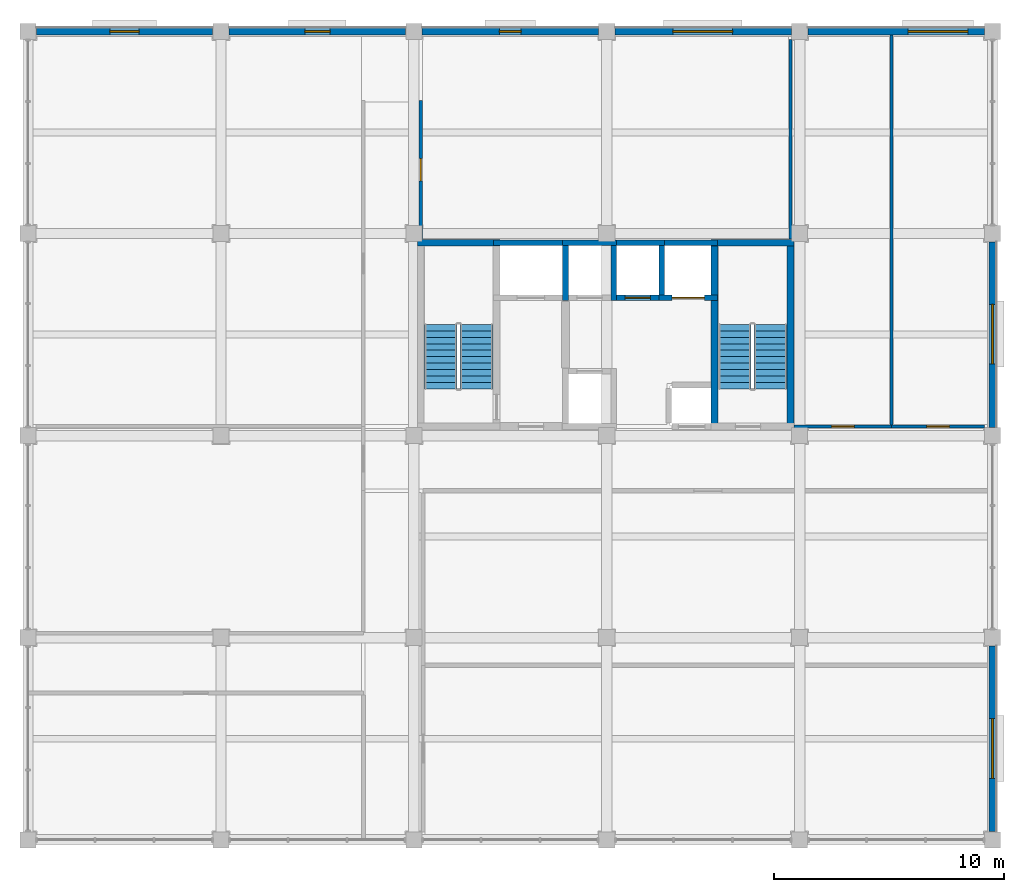
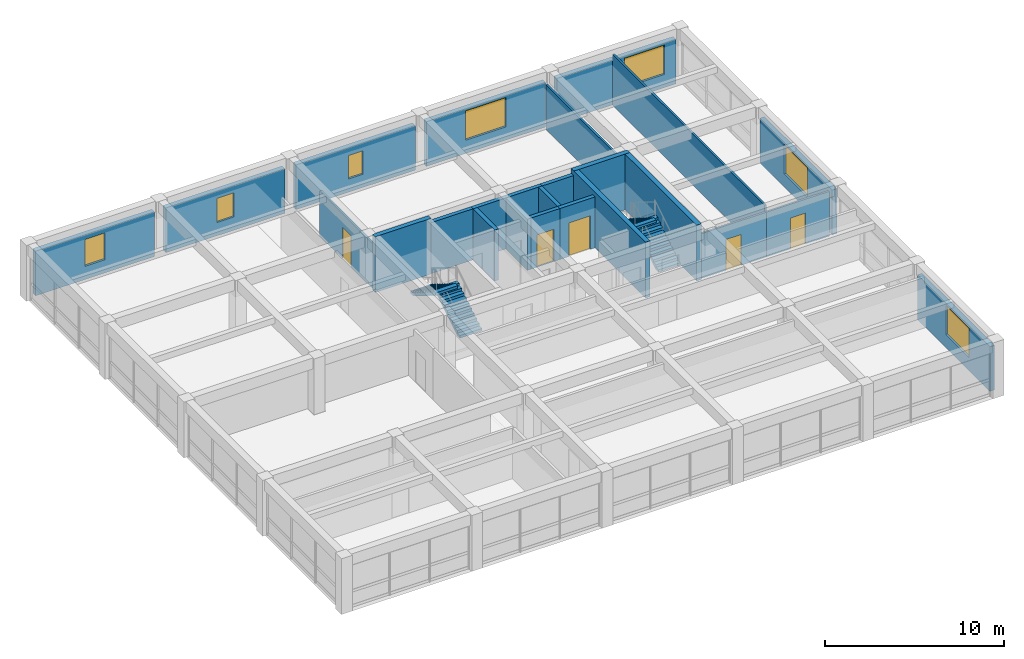
# One storey, part 10 of 13: 25 walls, 7 windows, 5 doors, 4 stair flights, 12 openings, 2 elements without a shape of their own.
"""IFC4 building model written with IfcOpenShell, lengths in metres."""

import ifcopenshell
import ifcopenshell.guid

model = None  # the IFC model being written
_history = None  # IfcOwnerHistory: only IFC2X3 demands one
_inside = {}  # id of a spatial element -> (the spatial element, [elements in it])
_under = {}  # id of a project, library or spatial element -> (it, [spatial elements below it])
_declared = {}  # id of a project -> (the project, [libraries it declares])
_typed = {}  # id of a type object -> (the type object, [elements of that type])
_made_of = {}  # id of a material, layer set ... -> (it, [elements and type objects made of it])


def new_model(schema):
    """Start an empty IFC model of exactly this schema.

    Asked for "IFC4X3", IfcOpenShell would pick the latest addendum, in which some entities
    have other attributes; the version numbers below select the first issue.
    IFC2X3 requires an IfcOwnerHistory on every rooted entity: one is made here for all.
    """
    global model, _history
    if schema == "IFC4X3":
        model = ifcopenshell.file(schema_version=(4, 3, 0, 0))
    else:
        model = ifcopenshell.file(schema=schema)
    _inside.clear()
    _under.clear()
    _declared.clear()
    _typed.clear()
    _made_of.clear()
    _history = None
    if model.schema == "IFC2X3":
        org = make("IfcOrganization", Name="unknown")
        user = make(
            "IfcPersonAndOrganization",
            ThePerson=make("IfcPerson", FamilyName="unknown"),
            TheOrganization=org,
        )
        app = make(
            "IfcApplication",
            ApplicationDeveloper=org,
            Version="unknown",
            ApplicationFullName="unknown",
            ApplicationIdentifier="unknown",
        )
        _history = make(
            "IfcOwnerHistory",
            OwningUser=user,
            OwningApplication=app,
            ChangeAction="ADDED",
            CreationDate=0,
        )
    return model


def make(cls, **values):
    """One entity of the class cls with the attributes given. An attribute that is None is left unset."""
    return model.create_entity(
        cls, **{name: value for name, value in values.items() if value is not None}
    )


def rooted(cls, **values):
    """An entity with a GlobalId (a new one), such as an element, a storey or a relation."""
    return make(cls, GlobalId=ifcopenshell.guid.new(), OwnerHistory=_history, **values)


def si_unit(unit_type, name, prefix=None):
    """IfcSIUnit, for example si_unit("LENGTHUNIT", "METRE", prefix="MILLI")."""
    return make("IfcSIUnit", UnitType=unit_type, Prefix=prefix, Name=name)


def assignment(units):
    """IfcUnitAssignment: the units of a project."""
    return None if units is None else make("IfcUnitAssignment", Units=units)


def point(xyz):
    """IfcCartesianPoint."""
    return None if xyz is None else make("IfcCartesianPoint", Coordinates=xyz)


def direction(xyz):
    """IfcDirection."""
    return None if xyz is None else make("IfcDirection", DirectionRatios=xyz)


def frame(location, z_axis=None, x_axis=None):
    """IfcAxis2Placement3D, a coordinate frame: its origin and axes. An axis left out is left unset."""
    return make(
        "IfcAxis2Placement3D",
        Location=point(location),
        Axis=direction(z_axis),
        RefDirection=direction(x_axis),
    )


def frame_2d(location, x_axis=None):
    """IfcAxis2Placement2D, a coordinate frame in the plane: its origin and x axis."""
    return make(
        "IfcAxis2Placement2D", Location=point(location), RefDirection=direction(x_axis)
    )


def origin():
    """The frame at (0, 0, 0) with its axes left unset."""
    return frame((0.0, 0.0, 0.0))


def place(relative_to, where):
    """IfcLocalPlacement: puts the frame where relative to a parent placement (None: the world)."""
    return make(
        "IfcLocalPlacement", PlacementRelTo=relative_to, RelativePlacement=where
    )


def context(
    kind, dimensions, precision=None, world=None, true_north=None, identifier=None
):
    """IfcGeometricRepresentationContext, for example the 3D "Model" context."""
    return make(
        "IfcGeometricRepresentationContext",
        ContextIdentifier=identifier,
        ContextType=kind,
        CoordinateSpaceDimension=dimensions,
        Precision=precision,
        WorldCoordinateSystem=world,
        TrueNorth=true_north,
    )


def subcontext(parent, identifier, kind, view, scale=None):
    """IfcGeometricRepresentationSubContext, for example "Body" below "Model"."""
    return make(
        "IfcGeometricRepresentationSubContext",
        ContextIdentifier=identifier,
        ContextType=kind,
        ParentContext=parent,
        TargetScale=scale,
        TargetView=view,
    )


def project(units=None, contexts=None):
    """IfcProject with its units and contexts."""
    return rooted(
        "IfcProject",
        Name="project",
        RepresentationContexts=contexts,
        UnitsInContext=assignment(units),
    )


def spatial(cls, under=None, at=None, **own):
    """A site, building, storey or space (cls), placed at a placement, below another one or the project."""
    s = rooted(cls, ObjectPlacement=at, **own)
    if under is not None:
        _under.setdefault(under.id(), (under, []))[1].append(s)
    return s


def polyline(points):
    """IfcPolyline through the points."""
    return make("IfcPolyline", Points=[point(p) for p in points])


def profile(cls, at=None, kind="AREA", **sizes):
    """A parametric profile (cls). Its sizes go by their IFC names, for example OverallWidth=200.0."""
    return make(cls, ProfileType=kind, Position=at, **sizes)


def rectangle(**sizes):
    """IfcRectangleProfileDef."""
    return profile("IfcRectangleProfileDef", **sizes)


def outline(outer, holes=None, kind="AREA"):
    """IfcArbitraryClosedProfileDef: a profile drawn as a closed curve; with holes, ...WithVoids."""
    if holes is None:
        return make("IfcArbitraryClosedProfileDef", ProfileType=kind, OuterCurve=outer)
    return make(
        "IfcArbitraryProfileDefWithVoids",
        ProfileType=kind,
        OuterCurve=outer,
        InnerCurves=holes,
    )


def extrude(swept, where, along, depth):
    """IfcExtrudedAreaSolid: the profile swept, set in the frame where, extruded along a direction by depth."""
    return make(
        "IfcExtrudedAreaSolid",
        SweptArea=swept,
        Position=where,
        ExtrudedDirection=direction(along),
        Depth=depth,
    )


def shape(context_of_items, identifier, shape_type, items):
    """IfcShapeRepresentation: the items that make up one representation, for example the "Body"."""
    return make(
        "IfcShapeRepresentation",
        ContextOfItems=context_of_items,
        RepresentationIdentifier=identifier,
        RepresentationType=shape_type,
        Items=items,
    )


def material(Name=None, Category=None):
    """IfcMaterial."""
    return make("IfcMaterial", Name=Name, Category=Category)


def layer(
    of_material, thickness, ventilated=None, Name=None, Category=None, Priority=None
):
    """IfcMaterialLayer: one layer of a wall or slab, of a material (None: an air gap)."""
    return make(
        "IfcMaterialLayer",
        Material=of_material,
        LayerThickness=thickness,
        IsVentilated=ventilated,
        Name=Name,
        Category=Category,
        Priority=Priority,
    )


def layer_set(layers, Name=None):
    """IfcMaterialLayerSet."""
    return make("IfcMaterialLayerSet", MaterialLayers=layers, LayerSetName=Name)


def made_of(thing, what):
    """Note that an element or type object is made of a material, layer set ...; save() writes the relation."""
    if what is not None:
        _made_of.setdefault(what.id(), (what, []))[1].append(thing)
    return thing


def type_object(cls, material=None, **own):
    """A type object (cls), such as IfcWallType, which elements share."""
    return made_of(rooted(cls, **own), material)


def element(
    cls,
    number,
    at=None,
    inside=None,
    cuts=None,
    type_object=None,
    material=None,
    context=None,
    identifier="Body",
    shape_type=None,
    held_by="IfcProductDefinitionShape",
    body=None,
    shapes=None,
    **own,
):
    """One element of the class cls, such as IfcWall. Its Tag is "e" and its number.

    at: its placement. inside: the storey or other place that contains it. cuts: it is an
    opening in that element (IfcRelVoidsElement). A single representation is given by context,
    identifier, shape_type and body (its items); several are given by shapes. held_by: the class
    of the entity that holds the representations. save() writes the other relations.
    """
    e = rooted(cls, Tag="e%d" % number, ObjectPlacement=at, **own)
    if body is not None:
        shapes = [shape(context, identifier, shape_type, body)]
    if shapes is not None:
        e.Representation = make(held_by, Representations=shapes)
    if inside is not None:
        _inside.setdefault(inside.id(), (inside, []))[1].append(e)
    if cuts is not None:
        rooted(
            "IfcRelVoidsElement", RelatingBuildingElement=cuts, RelatedOpeningElement=e
        )
    if type_object is not None:
        _typed.setdefault(type_object.id(), (type_object, []))[1].append(e)
    return made_of(e, material)


def fill(opening, filler):
    """IfcRelFillsElement: the door or window that sits in an opening."""
    return rooted(
        "IfcRelFillsElement",
        RelatingOpeningElement=opening,
        RelatedBuildingElement=filler,
    )


def aggregate(whole, parts):
    """IfcRelAggregates: a whole, such as a stair, and the parts it consists of."""
    return rooted("IfcRelAggregates", RelatingObject=whole, RelatedObjects=parts)


def save(model, path):
    """Write the relations noted so far, then the file.

    IfcRelAggregates (storeys below a building ...), IfcRelContainedInSpatialStructure (elements
    in a storey), IfcRelDefinesByType, IfcRelAssociatesMaterial and IfcRelDeclares: one each for
    every whole, place, type object, material and project.
    """
    for whole, parts in _under.values():
        aggregate(whole, parts)
    for where, things in _inside.values():
        rooted(
            "IfcRelContainedInSpatialStructure",
            RelatedElements=things,
            RelatingStructure=where,
        )
    for kind, things in _typed.values():
        rooted("IfcRelDefinesByType", RelatedObjects=things, RelatingType=kind)
    for what, things in _made_of.values():
        rooted("IfcRelAssociatesMaterial", RelatedObjects=things, RelatingMaterial=what)
    for by, libraries in _declared.values():
        rooted("IfcRelDeclares", RelatingContext=by, RelatedDefinitions=libraries)
    model.write(path)


model = new_model("IFC4")

# Units and contexts
model_context = context("Model", 3, precision=1e-05, world=origin(), true_north=direction((0.0, 1.0)))
body_context = subcontext(model_context, "Body", "Model", "MODEL_VIEW")
ifc_project = project(units=[si_unit("LENGTHUNIT", "METRE"), si_unit("AREAUNIT", "SQUARE_METRE"), si_unit("VOLUMEUNIT", "CUBIC_METRE"), si_unit("PLANEANGLEUNIT", "RADIAN"), si_unit("MASSUNIT", "GRAM", prefix="KILO")], contexts=[model_context])

# Site, building, storey
site_placement = place(None, origin())
site = spatial("IfcSite", under=ifc_project, at=site_placement, CompositionType="ELEMENT")
building_placement = place(site_placement, origin())
building = spatial("IfcBuilding", under=site, at=building_placement, Name="Kemercrest Conservatory and Botanical Centre", CompositionType="ELEMENT")
storey_placement = place(building_placement, frame((0.0, 0.0, 36.800048828125)))
storey = spatial("IfcBuildingStorey", under=building, at=storey_placement, Name="L09", CompositionType="ELEMENT", Elevation=36.800048828125)

# Walls
ifc_material_1 = material(Name="Concrete C50/60", Category="concrete")
ifc_layer_1 = layer(ifc_material_1, 0.300048828125)
ifc_layer_set_1 = layer_set([ifc_layer_1], Name="Concrete C50/60")
wall_type_1 = type_object("IfcWallType", Name="CW-STAIR", PredefinedType="SHEAR", material=ifc_layer_set_1)
for number, where, z_axis, x_axis, name in (
    (1, (150.949951171875, 113.199951171875, 0.0), (0.0, 0.0, 1.0), (1.0, 0.0, 0.0), "Stair core ST-V4A shear wall N"),
    (2, (163.75, 113.199951171875, 0.0), (0.0, 0.0, 1.0), (1.0, 0.0, 0.0), "Stair core ST-V4B shear wall N"),
):
    element("IfcWall", number, at=place(storey_placement, frame(where, z_axis=z_axis, x_axis=x_axis)), inside=storey, type_object=wall_type_1, Name=name, PredefinedType="SHEAR", context=body_context, shape_type="SweptSolid", body=[
        extrude(rectangle(XDim=3.60009765625, YDim=0.300048828125, at=frame_2d((1.800048828125, 0.0))), origin(), (0.0, 0.0, 1.0), 3.800048828125),
    ])
for number, where, z_axis, x_axis, name in (
    (3, (163.89990234375, 105.050048828125, 0.0), (0.0, 0.0, 1.0), (0.0, 1.0, 0.0), "Stair core ST-V4B shear wall W"),
    (4, (167.199951171875, 105.050048828125, 0.0), (0.0, 0.0, 1.0), (0.0, 1.0, 0.0), "Stair core ST-V4B shear wall E"),
):
    element("IfcWall", number, at=place(storey_placement, frame(where, z_axis=z_axis, x_axis=x_axis)), inside=storey, type_object=wall_type_1, Name=name, PredefinedType="SHEAR", context=body_context, shape_type="SweptSolid", body=[
        extrude(rectangle(XDim=8.300048828125, YDim=0.300048828125, at=frame_2d((4.14990234375, 0.0))), origin(), (0.0, 0.0, 1.0), 3.800048828125),
    ])

# Wall, opening, window
ifc_material_2 = material(Name="Precast concrete C40/50", Category="concrete")
ifc_layer_2 = layer(ifc_material_2, 0.300048828125)
ifc_layer_set_2 = layer_set([ifc_layer_2], Name="Precast concrete C40/50")
wall_type_2 = type_object("IfcWallType", Name="W-EXT300", PredefinedType="SOLIDWALL", material=ifc_layer_set_2)
wall_1_placement = place(storey_placement, frame((176.0, 87.56005859375, 0.0), z_axis=(0.0, 0.0, 1.0), x_axis=(0.0, 1.0, 0.0)))
wall_1 = element("IfcWall", 5, at=wall_1_placement, inside=storey, type_object=wall_type_2, Name="Exterior almasik wall W-EXT300 (WAL:L09:EXT-286)", PredefinedType="SOLIDWALL", context=body_context, shape_type="SweptSolid", body=[
    extrude(rectangle(XDim=8.079833984375, YDim=0.300048828125, at=frame_2d((4.0400390625, 0.0))), origin(), (0.0, 0.0, 1.0), 3.050048828125),
])
opening_1_placement = place(wall_1_placement, frame((2.320068359375, 0.0, 0.89990234375)))
opening_1 = element("IfcOpeningElement", 6, at=opening_1_placement, cuts=wall_1, Name="Opening WT-10", PredefinedType="OPENING", context=body_context, shape_type="SweptSolid", body=[
    extrude(rectangle(XDim=2.60009765625, YDim=2.0, at=frame_2d((1.300048828125, 1.0))), frame((0.0, 0.16015625, 0.0), z_axis=(0.0, -1.0, 0.0), x_axis=(1.0, 0.0, 0.0)), (0.0, 0.0, 1.0), 0.320068359375),
])
ifc_material_3 = material(Name="Thermally broken bronze-anodized aluminium and triple glazing", Category="aluminium")
window_type_1 = type_object("IfcWindowType", Name="WT-10", PartitioningType="SINGLE_PANEL", PredefinedType="WINDOW", material=ifc_material_3)
window_1_placement = place(opening_1_placement, origin())
window_1 = element("IfcWindow", 7, at=window_1_placement, inside=storey, type_object=window_type_1, Name="Exterior window WT-10 (WIN:L09:EXT-286)", OverallHeight=2.0, OverallWidth=2.60009765625, PartitioningType="SINGLE_PANEL", PredefinedType="WINDOW", context=body_context, shape_type="SweptSolid", body=[
    extrude(rectangle(XDim=2.60009765625, YDim=2.0, at=frame_2d((1.300048828125, 1.0))), frame((0.0, 0.030029296875, 0.0), z_axis=(0.0, -1.0, 0.0), x_axis=(1.0, 0.0, 0.0)), (0.0, 0.0, 1.0), 0.06005859375),
])
fill(opening_1, window_1)

wall_2_placement = place(storey_placement, frame((176.0, 105.159912109375, 0.0), z_axis=(0.0, 0.0, 1.0), x_axis=(0.0, 1.0, 0.0)))
wall_2 = element("IfcWall", 8, at=wall_2_placement, inside=storey, type_object=wall_type_2, Name="Exterior almasik wall W-EXT300 (WAL:L09:EXT-287)", PredefinedType="SOLIDWALL", context=body_context, shape_type="SweptSolid", body=[
    extrude(rectangle(XDim=8.080078125, YDim=0.300048828125, at=frame_2d((4.0400390625, 0.0))), origin(), (0.0, 0.0, 1.0), 3.050048828125),
])
opening_2_placement = place(wall_2_placement, frame((2.760009765625, 0.0, 0.89990234375)))
opening_2 = element("IfcOpeningElement", 9, at=opening_2_placement, cuts=wall_2, Name="Opening WT-10", PredefinedType="OPENING", context=body_context, shape_type="SweptSolid", body=[
    extrude(rectangle(XDim=2.60009765625, YDim=2.0, at=frame_2d((1.300048828125, 1.0))), frame((0.0, 0.16015625, 0.0), z_axis=(0.0, -1.0, 0.0), x_axis=(1.0, 0.0, 0.0)), (0.0, 0.0, 1.0), 0.320068359375),
])
window_2_placement = place(opening_2_placement, origin())
window_2 = element("IfcWindow", 10, at=window_2_placement, inside=storey, type_object=window_type_1, Name="Exterior window WT-10 (WIN:L09:EXT-287)", OverallHeight=2.0, OverallWidth=2.60009765625, PartitioningType="SINGLE_PANEL", PredefinedType="WINDOW", context=body_context, shape_type="SweptSolid", body=[
    extrude(rectangle(XDim=2.60009765625, YDim=2.0, at=frame_2d((1.300048828125, 1.0))), frame((0.0, 0.030029296875, 0.0), z_axis=(0.0, -1.0, 0.0), x_axis=(1.0, 0.0, 0.0)), (0.0, 0.0, 1.0), 0.06005859375),
])
fill(opening_2, window_2)

wall_3_placement = place(storey_placement, frame((175.639892578125, 122.39990234375, 0.0), z_axis=(0.0, 0.0, 1.0), x_axis=(-1.0, 0.0, 0.0)))
wall_3 = element("IfcWall", 11, at=wall_3_placement, inside=storey, type_object=wall_type_2, Name="Exterior almasik wall W-EXT300 (WAL:L09:EXT-288)", PredefinedType="SOLIDWALL", context=body_context, shape_type="SweptSolid", body=[
    extrude(rectangle(XDim=7.679931640625, YDim=0.300048828125, at=frame_2d((3.83984375, 0.0))), origin(), (0.0, 0.0, 1.0), 3.050048828125),
])
opening_3_placement = place(wall_3_placement, frame((0.719970703125, 0.0, 0.89990234375)))
opening_3 = element("IfcOpeningElement", 12, at=opening_3_placement, cuts=wall_3, Name="Opening WT-10", PredefinedType="OPENING", context=body_context, shape_type="SweptSolid", body=[
    extrude(rectangle(XDim=2.60009765625, YDim=2.0, at=frame_2d((1.300048828125, 1.0))), frame((0.0, 0.16015625, 0.0), z_axis=(0.0, -1.0, 0.0), x_axis=(1.0, 0.0, 0.0)), (0.0, 0.0, 1.0), 0.320068359375),
])
window_3_placement = place(opening_3_placement, origin())
window_3 = element("IfcWindow", 13, at=window_3_placement, inside=storey, type_object=window_type_1, Name="Exterior window WT-10 (WIN:L09:EXT-288)", OverallHeight=2.0, OverallWidth=2.60009765625, PartitioningType="SINGLE_PANEL", PredefinedType="WINDOW", context=body_context, shape_type="SweptSolid", body=[
    extrude(rectangle(XDim=2.60009765625, YDim=2.0, at=frame_2d((1.300048828125, 1.0))), frame((0.0, 0.030029296875, 0.0), z_axis=(0.0, -1.0, 0.0), x_axis=(1.0, 0.0, 0.0)), (0.0, 0.0, 1.0), 0.06005859375),
])
fill(opening_3, window_3)

wall_4_placement = place(storey_placement, frame((167.239990234375, 122.39990234375, 0.0), z_axis=(0.0, 0.0, 1.0), x_axis=(-1.0, 0.0, 0.0)))
wall_4 = element("IfcWall", 14, at=wall_4_placement, inside=storey, type_object=wall_type_2, Name="Exterior almasik wall W-EXT300 (WAL:L09:EXT-289)", PredefinedType="SOLIDWALL", context=body_context, shape_type="SweptSolid", body=[
    extrude(rectangle(XDim=7.679931640625, YDim=0.300048828125, at=frame_2d((3.83984375, 0.0))), origin(), (0.0, 0.0, 1.0), 3.050048828125),
])
opening_4_placement = place(wall_4_placement, frame((2.56005859375, 0.0, 0.89990234375)))
opening_4 = element("IfcOpeningElement", 15, at=opening_4_placement, cuts=wall_4, Name="Opening WT-10", PredefinedType="OPENING", context=body_context, shape_type="SweptSolid", body=[
    extrude(rectangle(XDim=2.60009765625, YDim=2.0, at=frame_2d((1.300048828125, 1.0))), frame((0.0, 0.16015625, 0.0), z_axis=(0.0, -1.0, 0.0), x_axis=(1.0, 0.0, 0.0)), (0.0, 0.0, 1.0), 0.320068359375),
])
window_4_placement = place(opening_4_placement, origin())
window_4 = element("IfcWindow", 16, at=window_4_placement, inside=storey, type_object=window_type_1, Name="Exterior window WT-10 (WIN:L09:EXT-289)", OverallHeight=2.0, OverallWidth=2.60009765625, PartitioningType="SINGLE_PANEL", PredefinedType="WINDOW", context=body_context, shape_type="SweptSolid", body=[
    extrude(rectangle(XDim=2.60009765625, YDim=2.0, at=frame_2d((1.300048828125, 1.0))), frame((0.0, 0.030029296875, 0.0), z_axis=(0.0, -1.0, 0.0), x_axis=(1.0, 0.0, 0.0)), (0.0, 0.0, 1.0), 0.06005859375),
])
fill(opening_4, window_4)

wall_5_placement = place(storey_placement, frame((158.840087890625, 122.39990234375, 0.0), z_axis=(0.0, 0.0, 1.0), x_axis=(-1.0, 0.0, 0.0)))
wall_5 = element("IfcWall", 17, at=wall_5_placement, inside=storey, type_object=wall_type_2, Name="Exterior almasik wall W-EXT300 (WAL:L09:EXT-290)", PredefinedType="SOLIDWALL", context=body_context, shape_type="SweptSolid", body=[
    extrude(rectangle(XDim=7.68017578125, YDim=0.300048828125, at=frame_2d((3.840087890625, 0.0))), origin(), (0.0, 0.0, 1.0), 3.050048828125),
])
opening_5_placement = place(wall_5_placement, frame((3.364990234375, 0.0, 0.89990234375)))
opening_5 = element("IfcOpeningElement", 18, at=opening_5_placement, cuts=wall_5, Name="Opening WT-21", PredefinedType="OPENING", context=body_context, shape_type="SweptSolid", body=[
    extrude(rectangle(XDim=0.949951171875, YDim=1.60009765625, at=frame_2d((0.47509765625, 0.800048828125))), frame((0.0, 0.16015625, 0.0), z_axis=(0.0, -1.0, 0.0), x_axis=(1.0, 0.0, 0.0)), (0.0, 0.0, 1.0), 0.320068359375),
])
window_type_2 = type_object("IfcWindowType", Name="WT-21", PartitioningType="SINGLE_PANEL", PredefinedType="WINDOW", material=ifc_material_3)
window_5_placement = place(opening_5_placement, origin())
window_5 = element("IfcWindow", 19, at=window_5_placement, inside=storey, type_object=window_type_2, Name="Exterior window WT-21 (WIN:L09:EXT-290)", OverallHeight=1.60009765625, OverallWidth=0.949951171875, PartitioningType="SINGLE_PANEL", PredefinedType="WINDOW", context=body_context, shape_type="SweptSolid", body=[
    extrude(rectangle(XDim=0.949951171875, YDim=1.60009765625, at=frame_2d((0.47509765625, 0.800048828125))), frame((0.0, 0.030029296875, 0.0), z_axis=(0.0, -1.0, 0.0), x_axis=(1.0, 0.0, 0.0)), (0.0, 0.0, 1.0), 0.06005859375),
])
fill(opening_5, window_5)

wall_6_placement = place(storey_placement, frame((150.43994140625, 122.39990234375, 0.0), z_axis=(0.0, 0.0, 1.0), x_axis=(-1.0, 0.0, 0.0)))
wall_6 = element("IfcWall", 20, at=wall_6_placement, inside=storey, type_object=wall_type_2, Name="Exterior almasik wall W-EXT300 (WAL:L09:EXT-291)", PredefinedType="SOLIDWALL", context=body_context, shape_type="SweptSolid", body=[
    extrude(rectangle(XDim=7.679931640625, YDim=0.300048828125, at=frame_2d((3.83984375, 0.0))), origin(), (0.0, 0.0, 1.0), 3.050048828125),
])
opening_6_placement = place(wall_6_placement, frame((3.2900390625, 0.0, 0.89990234375)))
opening_6 = element("IfcOpeningElement", 21, at=opening_6_placement, cuts=wall_6, Name="Opening WT-22", PredefinedType="OPENING", context=body_context, shape_type="SweptSolid", body=[
    extrude(rectangle(XDim=1.10009765625, YDim=1.64990234375, at=frame_2d((0.550048828125, 0.824951171875))), frame((0.0, 0.16015625, 0.0), z_axis=(0.0, -1.0, 0.0), x_axis=(1.0, 0.0, 0.0)), (0.0, 0.0, 1.0), 0.320068359375),
])
window_type_3 = type_object("IfcWindowType", Name="WT-22", PartitioningType="SINGLE_PANEL", PredefinedType="WINDOW", material=ifc_material_3)
window_6_placement = place(opening_6_placement, origin())
window_6 = element("IfcWindow", 22, at=window_6_placement, inside=storey, type_object=window_type_3, Name="Exterior window WT-22 (WIN:L09:EXT-291)", OverallHeight=1.64990234375, OverallWidth=1.10009765625, PartitioningType="SINGLE_PANEL", PredefinedType="WINDOW", context=body_context, shape_type="SweptSolid", body=[
    extrude(rectangle(XDim=1.10009765625, YDim=1.64990234375, at=frame_2d((0.550048828125, 0.824951171875))), frame((0.0, 0.030029296875, 0.0), z_axis=(0.0, -1.0, 0.0), x_axis=(1.0, 0.0, 0.0)), (0.0, 0.0, 1.0), 0.06005859375),
])
fill(opening_6, window_6)

wall_7_placement = place(storey_placement, frame((142.0400390625, 122.39990234375, 0.0), z_axis=(0.0, 0.0, 1.0), x_axis=(-1.0, 0.0, 0.0)))
wall_7 = element("IfcWall", 23, at=wall_7_placement, inside=storey, type_object=wall_type_2, Name="Exterior almasik wall W-EXT300 (WAL:L09:EXT-292)", PredefinedType="SOLIDWALL", context=body_context, shape_type="SweptSolid", body=[
    extrude(rectangle(XDim=7.679931640625, YDim=0.300048828125, at=frame_2d((3.83984375, 0.0))), origin(), (0.0, 0.0, 1.0), 3.050048828125),
])
opening_7_placement = place(wall_7_placement, frame((3.199951171875, 0.0, 0.89990234375)))
opening_7 = element("IfcOpeningElement", 24, at=opening_7_placement, cuts=wall_7, Name="Opening WT-29", PredefinedType="OPENING", context=body_context, shape_type="SweptSolid", body=[
    extrude(rectangle(XDim=1.280029296875, YDim=1.820068359375, at=frame_2d((0.64013671875, 0.91015625))), frame((0.0, 0.16015625, 0.0), z_axis=(0.0, -1.0, 0.0), x_axis=(1.0, 0.0, 0.0)), (0.0, 0.0, 1.0), 0.320068359375),
])
window_type_4 = type_object("IfcWindowType", Name="WT-29", PartitioningType="SINGLE_PANEL", PredefinedType="WINDOW", material=ifc_material_3)
window_7_placement = place(opening_7_placement, origin())
window_7 = element("IfcWindow", 25, at=window_7_placement, inside=storey, type_object=window_type_4, Name="Exterior window WT-29 (WIN:L09:EXT-292)", OverallHeight=1.820068359375, OverallWidth=1.280029296875, PartitioningType="SINGLE_PANEL", PredefinedType="WINDOW", context=body_context, shape_type="SweptSolid", body=[
    extrude(rectangle(XDim=1.280029296875, YDim=1.820068359375, at=frame_2d((0.64013671875, 0.91015625))), frame((0.0, 0.030029296875, 0.0), z_axis=(0.0, -1.0, 0.0), x_axis=(1.0, 0.0, 0.0)), (0.0, 0.0, 1.0), 0.06005859375),
])
fill(opening_7, window_7)

# Wall, opening, door
ifc_material_4 = material(Name="Moisture-resistant gypsum board partition", Category="gypsum")
ifc_layer_3 = layer(ifc_material_4, 0.125)
ifc_layer_set_3 = layer_set([ifc_layer_3], Name="Moisture-resistant gypsum board partition")
wall_type_3 = type_object("IfcWallType", Name="W-PART125", PredefinedType="PARTITIONING", material=ifc_layer_set_3)
wall_8_placement = place(storey_placement, frame((167.35498046875, 105.199951171875, 0.0), z_axis=(0.0, 0.0, 1.0), x_axis=(1.0, 0.0, 0.0)))
wall_8 = element("IfcWall", 26, at=wall_8_placement, inside=storey, type_object=wall_type_3, Name="Interior partition W-PART125 #228", PredefinedType="PARTITIONING", context=body_context, shape_type="SweptSolid", body=[
    extrude(rectangle(XDim=4.2451171875, YDim=0.125, at=frame_2d((2.12255859375, 0.0))), origin(), (0.0, 0.0, 1.0), 3.044921875),
])
opening_8_placement = place(wall_8_placement, frame((1.632568359375, 0.0, 0.0)))
opening_8 = element("IfcOpeningElement", 27, at=opening_8_placement, cuts=wall_8, Name="Opening D236", PredefinedType="OPENING", context=body_context, shape_type="SweptSolid", body=[
    extrude(rectangle(XDim=0.97998046875, YDim=2.10009765625, at=frame_2d((0.489990234375, 1.050048828125))), frame((0.0, 0.072509765625, 0.0), z_axis=(0.0, -1.0, 0.0), x_axis=(1.0, 0.0, 0.0)), (0.0, 0.0, 1.0), 0.14501953125),
])
ifc_material_5 = material(Name="FSC solid-core white oak veneer and anodized aluminium frame", Category="aluminium")
door_type_1 = type_object("IfcDoorType", Name="DT-02", OperationType="NOTDEFINED", PredefinedType="DOOR", material=ifc_material_5)
door_1_placement = place(opening_8_placement, origin())
door_1 = element("IfcDoor", 28, at=door_1_placement, inside=storey, type_object=door_type_1, Name="Staff Washroom door D236", OperationType="SINGLE_SWING_RIGHT", OverallHeight=2.10009765625, OverallWidth=0.97998046875, PredefinedType="DOOR", context=body_context, shape_type="SweptSolid", body=[
    extrude(rectangle(XDim=0.97998046875, YDim=2.10009765625, at=frame_2d((0.489990234375, 1.050048828125))), frame((0.0, 0.02490234375, 0.0), z_axis=(0.0, -1.0, 0.0), x_axis=(1.0, 0.0, 0.0)), (0.0, 0.0, 1.0), 0.050048828125),
])
fill(opening_8, door_1)

wall_9_placement = place(storey_placement, frame((171.60009765625, 105.199951171875, 0.0), z_axis=(0.0, 0.0, 1.0), x_axis=(1.0, 0.0, 0.0)))
wall_9 = element("IfcWall", 29, at=wall_9_placement, inside=storey, type_object=wall_type_3, Name="Interior partition W-PART125 #229", PredefinedType="PARTITIONING", context=body_context, shape_type="SweptSolid", body=[
    extrude(rectangle(XDim=4.0498046875, YDim=0.125, at=frame_2d((2.02490234375, 0.0))), origin(), (0.0, 0.0, 1.0), 3.044921875),
])
opening_9_placement = place(wall_9_placement, frame((1.534912109375, 0.0, 0.0)))
opening_9 = element("IfcOpeningElement", 30, at=opening_9_placement, cuts=wall_9, Name="Opening D237", PredefinedType="OPENING", context=body_context, shape_type="SweptSolid", body=[
    extrude(rectangle(XDim=0.97998046875, YDim=2.10009765625, at=frame_2d((0.489990234375, 1.050048828125))), frame((0.0, 0.072509765625, 0.0), z_axis=(0.0, -1.0, 0.0), x_axis=(1.0, 0.0, 0.0)), (0.0, 0.0, 1.0), 0.14501953125),
])
door_2_placement = place(opening_9_placement, origin())
door_2 = element("IfcDoor", 31, at=door_2_placement, inside=storey, type_object=door_type_1, Name="Accessible Washroom door D237", OperationType="SINGLE_SWING_LEFT", OverallHeight=2.10009765625, OverallWidth=0.97998046875, PredefinedType="DOOR", context=body_context, shape_type="SweptSolid", body=[
    extrude(rectangle(XDim=0.97998046875, YDim=2.10009765625, at=frame_2d((0.489990234375, 1.050048828125))), frame((0.0, 0.02490234375, 0.0), z_axis=(0.0, -1.0, 0.0), x_axis=(1.0, 0.0, 0.0)), (0.0, 0.0, 1.0), 0.050048828125),
])
fill(opening_9, door_2)

# Walls
wall_10_placement = place(storey_placement, frame((167.199951171875, 113.35498046875, 0.0), z_axis=(0.0, 0.0, 1.0), x_axis=(0.0, 1.0, 0.0)))
element("IfcWall", 32, at=wall_10_placement, inside=storey, type_object=wall_type_3, Name="Interior partition W-PART125 #240", PredefinedType="PARTITIONING", context=body_context, shape_type="SweptSolid", body=[
    extrude(rectangle(XDim=8.695068359375, YDim=0.125, at=frame_2d((4.34765625, 0.0))), origin(), (0.0, 0.0, 1.0), 3.044921875),
])
wall_11_placement = place(storey_placement, frame((171.60009765625, 105.267578125, 0.0), z_axis=(0.0, 0.0, 1.0), x_axis=(0.0, 1.0, 0.0)))
element("IfcWall", 33, at=wall_11_placement, inside=storey, type_object=wall_type_3, Name="Interior partition W-PART125 #241", PredefinedType="PARTITIONING", context=body_context, shape_type="SweptSolid", body=[
    extrude(rectangle(XDim=16.9775390625, YDim=0.125, at=frame_2d((8.48876953125, 0.0))), origin(), (0.0, 0.0, 1.0), 3.46484375),
])

# Wall, opening, door
ifc_material_6 = material(Name="Steel-stud gypsum board partition", Category="steel")
ifc_layer_4 = layer(ifc_material_6, 0.14990234375)
ifc_layer_set_4 = layer_set([ifc_layer_4], Name="Steel-stud gypsum board partition")
wall_type_4 = type_object("IfcWallType", Name="W-PART150", PredefinedType="PARTITIONING", material=ifc_layer_set_4)
wall_12_placement = place(storey_placement, frame((151.10009765625, 113.35498046875, 0.0), z_axis=(0.0, 0.0, 1.0), x_axis=(0.0, 1.0, 0.0)))
wall_12 = element("IfcWall", 34, at=wall_12_placement, inside=storey, type_object=wall_type_4, Name="Interior partition W-PART150 #237", PredefinedType="PARTITIONING", context=body_context, shape_type="SweptSolid", body=[
    extrude(rectangle(XDim=6.044921875, YDim=0.14990234375, at=frame_2d((3.0224609375, 0.0))), origin(), (0.0, 0.0, 1.0), 3.044921875),
])
opening_10_placement = place(wall_12_placement, frame((2.54248046875, 0.0, 0.0)))
opening_10 = element("IfcOpeningElement", 35, at=opening_10_placement, cuts=wall_12, Name="Opening D241", PredefinedType="OPENING", context=body_context, shape_type="SweptSolid", body=[
    extrude(rectangle(XDim=0.9599609375, YDim=2.139892578125, at=frame_2d((0.47998046875, 1.06982421875))), frame((0.0, 0.0849609375, 0.0), z_axis=(0.0, -1.0, 0.0), x_axis=(1.0, 0.0, 0.0)), (0.0, 0.0, 1.0), 0.169921875),
])
door_type_2 = type_object("IfcDoorType", Name="DT-22", OperationType="NOTDEFINED", PredefinedType="DOOR", material=ifc_material_5)
door_3_placement = place(opening_10_placement, origin())
door_3 = element("IfcDoor", 36, at=door_3_placement, inside=storey, type_object=door_type_2, Name="Genomics Faculty Office door D241", OperationType="SINGLE_SWING_LEFT", OverallHeight=2.139892578125, OverallWidth=0.9599609375, PredefinedType="DOOR", context=body_context, shape_type="SweptSolid", body=[
    extrude(rectangle(XDim=0.9599609375, YDim=2.139892578125, at=frame_2d((0.47998046875, 1.06982421875))), frame((0.0, 0.02490234375, 0.0), z_axis=(0.0, -1.0, 0.0), x_axis=(1.0, 0.0, 0.0)), (0.0, 0.0, 1.0), 0.050048828125),
])
fill(opening_10, door_3)

# Walls
ifc_material_7 = material(Name="Concrete C40/50", Category="concrete")
ifc_layer_5 = layer(ifc_material_7, 0.25)
ifc_layer_set_5 = layer_set([ifc_layer_5], Name="Concrete C40/50")
wall_type_5 = type_object("IfcWallType", Name="W-SHFT250", PredefinedType="SOLIDWALL", material=ifc_layer_set_5)
wall_13_placement = place(storey_placement, frame((154.27490234375, 113.199951171875, 0.0), z_axis=(0.0, 0.0, 1.0), x_axis=(1.0, 0.0, 0.0)))
element("IfcWall", 37, at=wall_13_placement, inside=storey, type_object=wall_type_5, Name="Elevator LF-FF1 shaft wall north", PredefinedType="SOLIDWALL", context=body_context, shape_type="SweptSolid", body=[
    extrude(rectangle(XDim=3.25, YDim=0.25, at=frame_2d((1.625, 0.0))), origin(), (0.0, 0.0, 1.0), 3.47998046875),
])
wall_14_placement = place(storey_placement, frame((157.39990234375, 110.675048828125, 0.0), z_axis=(0.0, 0.0, 1.0), x_axis=(0.0, 1.0, 0.0)))
element("IfcWall", 38, at=wall_14_placement, inside=storey, type_object=wall_type_5, Name="Elevator LF-FF1 shaft wall east", PredefinedType="SOLIDWALL", context=body_context, shape_type="SweptSolid", body=[
    extrude(rectangle(XDim=2.64990234375, YDim=0.25, at=frame_2d((1.324951171875, 0.0))), origin(), (0.0, 0.0, 1.0), 3.47998046875),
])
wall_15_placement = place(storey_placement, frame((157.27490234375, 113.199951171875, 0.0), z_axis=(0.0, 0.0, 1.0), x_axis=(1.0, 0.0, 0.0)))
element("IfcWall", 39, at=wall_15_placement, inside=storey, type_object=wall_type_5, Name="Elevator LF-P1 shaft wall north", PredefinedType="SOLIDWALL", context=body_context, shape_type="SweptSolid", body=[
    extrude(rectangle(XDim=2.35009765625, YDim=0.25, at=frame_2d((1.175048828125, 0.0))), origin(), (0.0, 0.0, 1.0), 3.47998046875),
])
wall_16_placement = place(storey_placement, frame((159.5, 110.675048828125, 0.0), z_axis=(0.0, 0.0, 1.0), x_axis=(0.0, 1.0, 0.0)))
element("IfcWall", 40, at=wall_16_placement, inside=storey, type_object=wall_type_5, Name="Elevator LF-P1 shaft wall east", PredefinedType="SOLIDWALL", context=body_context, shape_type="SweptSolid", body=[
    extrude(rectangle(XDim=2.64990234375, YDim=0.25, at=frame_2d((1.324951171875, 0.0))), origin(), (0.0, 0.0, 1.0), 3.47998046875),
])

# Wall, opening, door
wall_17_placement = place(storey_placement, frame((159.375, 110.800048828125, 0.0), z_axis=(0.0, 0.0, 1.0), x_axis=(1.0, 0.0, 0.0)))
wall_17 = element("IfcWall", 41, at=wall_17_placement, inside=storey, type_object=wall_type_5, Name="Elevator LF-P2 shaft wall south", PredefinedType="SOLIDWALL", context=body_context, shape_type="SweptSolid", body=[
    extrude(rectangle(XDim=2.35009765625, YDim=0.25, at=frame_2d((1.175048828125, 0.0))), origin(), (0.0, 0.0, 1.0), 3.47998046875),
])
opening_11_placement = place(wall_17_placement, frame((0.625, 0.0, 0.0)))
opening_11 = element("IfcOpeningElement", 42, at=opening_11_placement, cuts=wall_17, Name="Opening LD-049", PredefinedType="OPENING", context=body_context, shape_type="SweptSolid", body=[
    extrude(rectangle(XDim=1.10009765625, YDim=2.199951171875, at=frame_2d((0.550048828125, 1.10009765625))), frame((0.0, 0.135009765625, 0.0), z_axis=(0.0, -1.0, 0.0), x_axis=(1.0, 0.0, 0.0)), (0.0, 0.0, 1.0), 0.27001953125),
])
ifc_material_8 = material(Name="Powder-coated galvanized steel and fire-rated vision glass", Category="steel")
door_type_3 = type_object("IfcDoorType", Name="DT-LD01", OperationType="SLIDING_TO_LEFT", PredefinedType="DOOR", material=ifc_material_8)
door_4_placement = place(opening_11_placement, origin())
door_4 = element("IfcDoor", 43, at=door_4_placement, inside=storey, type_object=door_type_3, Name="Elevator LF-P2 sliding landing door LD-049", OperationType="SLIDING_TO_LEFT", OverallHeight=2.199951171875, OverallWidth=1.10009765625, PredefinedType="DOOR", context=body_context, shape_type="SweptSolid", body=[
    extrude(rectangle(XDim=1.10009765625, YDim=2.199951171875, at=frame_2d((0.550048828125, 1.10009765625))), frame((0.0, 0.02490234375, 0.0), z_axis=(0.0, -1.0, 0.0), x_axis=(1.0, 0.0, 0.0)), (0.0, 0.0, 1.0), 0.050048828125),
])
fill(opening_11, door_4)

# Walls
wall_18_placement = place(storey_placement, frame((159.375, 113.199951171875, 0.0), z_axis=(0.0, 0.0, 1.0), x_axis=(1.0, 0.0, 0.0)))
element("IfcWall", 44, at=wall_18_placement, inside=storey, type_object=wall_type_5, Name="Elevator LF-P2 shaft wall north", PredefinedType="SOLIDWALL", context=body_context, shape_type="SweptSolid", body=[
    extrude(rectangle(XDim=2.35009765625, YDim=0.25, at=frame_2d((1.175048828125, 0.0))), origin(), (0.0, 0.0, 1.0), 3.47998046875),
])
wall_19_placement = place(storey_placement, frame((161.60009765625, 110.675048828125, 0.0), z_axis=(0.0, 0.0, 1.0), x_axis=(0.0, 1.0, 0.0)))
element("IfcWall", 45, at=wall_19_placement, inside=storey, type_object=wall_type_5, Name="Elevator LF-P2 shaft wall east", PredefinedType="SOLIDWALL", context=body_context, shape_type="SweptSolid", body=[
    extrude(rectangle(XDim=2.64990234375, YDim=0.25, at=frame_2d((1.324951171875, 0.0))), origin(), (0.0, 0.0, 1.0), 3.47998046875),
])

# Wall, opening, door
wall_20_placement = place(storey_placement, frame((161.47509765625, 110.800048828125, 0.0), z_axis=(0.0, 0.0, 1.0), x_axis=(1.0, 0.0, 0.0)))
wall_20 = element("IfcWall", 46, at=wall_20_placement, inside=storey, type_object=wall_type_5, Name="Elevator LF-G1 shaft wall south", PredefinedType="SOLIDWALL", context=body_context, shape_type="SweptSolid", body=[
    extrude(rectangle(XDim=2.5498046875, YDim=0.25, at=frame_2d((1.27490234375, 0.0))), origin(), (0.0, 0.0, 1.0), 3.47998046875),
])
opening_12_placement = place(wall_20_placement, frame((0.574951171875, 0.0, 0.0)))
opening_12 = element("IfcOpeningElement", 47, at=opening_12_placement, cuts=wall_20, Name="Opening LD-085", PredefinedType="OPENING", context=body_context, shape_type="SweptSolid", body=[
    extrude(rectangle(XDim=1.39990234375, YDim=2.300048828125, at=frame_2d((0.699951171875, 1.14990234375))), frame((0.0, 0.135009765625, 0.0), z_axis=(0.0, -1.0, 0.0), x_axis=(1.0, 0.0, 0.0)), (0.0, 0.0, 1.0), 0.27001953125),
])
door_type_4 = type_object("IfcDoorType", Name="DT-LD03", OperationType="SLIDING_TO_LEFT", PredefinedType="DOOR", material=ifc_material_8)
door_5_placement = place(opening_12_placement, origin())
door_5 = element("IfcDoor", 48, at=door_5_placement, inside=storey, type_object=door_type_4, Name="Elevator LF-G1 sliding landing door LD-085", OperationType="SLIDING_TO_LEFT", OverallHeight=2.300048828125, OverallWidth=1.39990234375, PredefinedType="DOOR", context=body_context, shape_type="SweptSolid", body=[
    extrude(rectangle(XDim=1.39990234375, YDim=2.300048828125, at=frame_2d((0.699951171875, 1.14990234375))), frame((0.0, 0.02490234375, 0.0), z_axis=(0.0, -1.0, 0.0), x_axis=(1.0, 0.0, 0.0)), (0.0, 0.0, 1.0), 0.050048828125),
])
fill(opening_12, door_5)

# Wall
wall_21_placement = place(storey_placement, frame((161.47509765625, 113.199951171875, 0.0), z_axis=(0.0, 0.0, 1.0), x_axis=(1.0, 0.0, 0.0)))
element("IfcWall", 49, at=wall_21_placement, inside=storey, type_object=wall_type_5, Name="Elevator LF-G1 shaft wall north", PredefinedType="SOLIDWALL", context=body_context, shape_type="SweptSolid", body=[
    extrude(rectangle(XDim=2.5498046875, YDim=0.25, at=frame_2d((1.27490234375, 0.0))), origin(), (0.0, 0.0, 1.0), 3.47998046875),
])

# Stair, stair flights
stair_type = type_object("IfcStairType", Name="ST-142-38", PredefinedType="HALF_TURN_STAIR", material=ifc_material_7)
stair_1_placement = place(storey_placement, origin())
stair_1 = element("IfcStair", 50, at=stair_1_placement, inside=storey, type_object=stair_type, Name="L09 Exit stair ST-V4A", PredefinedType="HALF_TURN_STAIR")
stair_flight_type = type_object("IfcStairFlightType", Name="FL-142-38", PredefinedType="STRAIGHT", material=ifc_material_7)
stair_flight_1_placement = place(storey_placement, frame((153.530029296875, 106.840087890625, 0.0), z_axis=(0.0, 0.0, 1.0), x_axis=(0.0, 1.0, 0.0)))
stair_flight_1 = element("IfcStairFlight", 51, at=stair_flight_1_placement, type_object=stair_flight_type, Name="ST-V4A flight 1", NumberOfRisers=11, NumberOfTreads=10, PredefinedType="STRAIGHT", RiserHeight=0.172727273, TreadLength=0.28, context=body_context, shape_type="SweptSolid", body=[
    extrude(outline(polyline([(0.0, 0.0), (0.0, 0.172607421875), (0.280029296875, 0.172607421875), (0.280029296875, 0.345458984375), (0.56005859375, 0.345458984375), (0.56005859375, 0.51806640625), (0.840087890625, 0.51806640625), (0.840087890625, 0.69091796875), (1.1201171875, 0.69091796875), (1.1201171875, 0.863525390625), (1.39990234375, 0.863525390625), (1.39990234375, 1.036376953125), (1.679931640625, 1.036376953125), (1.679931640625, 1.208984375), (1.9599609375, 1.208984375), (1.9599609375, 1.3818359375), (2.239990234375, 1.3818359375), (2.239990234375, 1.554443359375), (2.52001953125, 1.554443359375), (2.52001953125, 1.727294921875), (2.800048828125, 1.727294921875), (2.800048828125, 1.89990234375), (2.800048828125, 1.551025390625), (0.285400390625, 0.0), (0.0, 0.0)])), frame((0.0, 0.7099609375, 0.0), z_axis=(0.0, -1.0, 0.0), x_axis=(1.0, 0.0, 0.0)), (0.0, 0.0, 1.0), 1.419921875),
])
stair_flight_2_placement = place(storey_placement, frame((151.969970703125, 109.639892578125, 1.89990234375), z_axis=(0.0, 0.0, 1.0), x_axis=(0.0, -1.0, 0.0)))
stair_flight_2 = element("IfcStairFlight", 52, at=stair_flight_2_placement, type_object=stair_flight_type, Name="ST-V4A flight 2", NumberOfRisers=11, NumberOfTreads=10, PredefinedType="STRAIGHT", RiserHeight=0.172727273, TreadLength=0.28, context=body_context, shape_type="SweptSolid", body=[
    extrude(outline(polyline([(0.0, 0.0), (0.0, 0.172607421875), (0.280029296875, 0.172607421875), (0.280029296875, 0.345458984375), (0.56005859375, 0.345458984375), (0.56005859375, 0.51806640625), (0.840087890625, 0.51806640625), (0.840087890625, 0.69091796875), (1.1201171875, 0.69091796875), (1.1201171875, 0.863525390625), (1.39990234375, 0.863525390625), (1.39990234375, 1.036376953125), (1.679931640625, 1.036376953125), (1.679931640625, 1.208984375), (1.9599609375, 1.208984375), (1.9599609375, 1.3818359375), (2.239990234375, 1.3818359375), (2.239990234375, 1.554443359375), (2.52001953125, 1.554443359375), (2.52001953125, 1.727294921875), (2.800048828125, 1.727294921875), (2.800048828125, 1.89990234375), (2.800048828125, 1.551025390625), (0.285400390625, 0.0), (0.0, 0.0)])), frame((0.0, 0.7099609375, 0.0), z_axis=(0.0, -1.0, 0.0), x_axis=(1.0, 0.0, 0.0)), (0.0, 0.0, 1.0), 1.419921875),
])
aggregate(stair_1, [stair_flight_1, stair_flight_2])

stair_2_placement = place(storey_placement, origin())
stair_2 = element("IfcStair", 53, at=stair_2_placement, inside=storey, type_object=stair_type, Name="L09 Exit stair ST-V4B", PredefinedType="HALF_TURN_STAIR")
stair_flight_3_placement = place(storey_placement, frame((166.330078125, 106.840087890625, 0.0), z_axis=(0.0, 0.0, 1.0), x_axis=(0.0, 1.0, 0.0)))
stair_flight_3 = element("IfcStairFlight", 54, at=stair_flight_3_placement, type_object=stair_flight_type, Name="ST-V4B flight 1", NumberOfRisers=11, NumberOfTreads=10, PredefinedType="STRAIGHT", RiserHeight=0.172727273, TreadLength=0.28, context=body_context, shape_type="SweptSolid", body=[
    extrude(outline(polyline([(0.0, 0.0), (0.0, 0.172607421875), (0.280029296875, 0.172607421875), (0.280029296875, 0.345458984375), (0.56005859375, 0.345458984375), (0.56005859375, 0.51806640625), (0.840087890625, 0.51806640625), (0.840087890625, 0.69091796875), (1.1201171875, 0.69091796875), (1.1201171875, 0.863525390625), (1.39990234375, 0.863525390625), (1.39990234375, 1.036376953125), (1.679931640625, 1.036376953125), (1.679931640625, 1.208984375), (1.9599609375, 1.208984375), (1.9599609375, 1.3818359375), (2.239990234375, 1.3818359375), (2.239990234375, 1.554443359375), (2.52001953125, 1.554443359375), (2.52001953125, 1.727294921875), (2.800048828125, 1.727294921875), (2.800048828125, 1.89990234375), (2.800048828125, 1.551025390625), (0.285400390625, 0.0), (0.0, 0.0)])), frame((0.0, 0.7099609375, 0.0), z_axis=(0.0, -1.0, 0.0), x_axis=(1.0, 0.0, 0.0)), (0.0, 0.0, 1.0), 1.419921875),
])
stair_flight_4_placement = place(storey_placement, frame((164.77001953125, 109.639892578125, 1.89990234375), z_axis=(0.0, 0.0, 1.0), x_axis=(0.0, -1.0, 0.0)))
stair_flight_4 = element("IfcStairFlight", 55, at=stair_flight_4_placement, type_object=stair_flight_type, Name="ST-V4B flight 2", NumberOfRisers=11, NumberOfTreads=10, PredefinedType="STRAIGHT", RiserHeight=0.172727273, TreadLength=0.28, context=body_context, shape_type="SweptSolid", body=[
    extrude(outline(polyline([(0.0, 0.0), (0.0, 0.172607421875), (0.280029296875, 0.172607421875), (0.280029296875, 0.345458984375), (0.56005859375, 0.345458984375), (0.56005859375, 0.51806640625), (0.840087890625, 0.51806640625), (0.840087890625, 0.69091796875), (1.1201171875, 0.69091796875), (1.1201171875, 0.863525390625), (1.39990234375, 0.863525390625), (1.39990234375, 1.036376953125), (1.679931640625, 1.036376953125), (1.679931640625, 1.208984375), (1.9599609375, 1.208984375), (1.9599609375, 1.3818359375), (2.239990234375, 1.3818359375), (2.239990234375, 1.554443359375), (2.52001953125, 1.554443359375), (2.52001953125, 1.727294921875), (2.800048828125, 1.727294921875), (2.800048828125, 1.89990234375), (2.800048828125, 1.551025390625), (0.285400390625, 0.0), (0.0, 0.0)])), frame((0.0, 0.7099609375, 0.0), z_axis=(0.0, -1.0, 0.0), x_axis=(1.0, 0.0, 0.0)), (0.0, 0.0, 1.0), 1.419921875),
])
aggregate(stair_2, [stair_flight_3, stair_flight_4])

save(model, "model.ifc")
